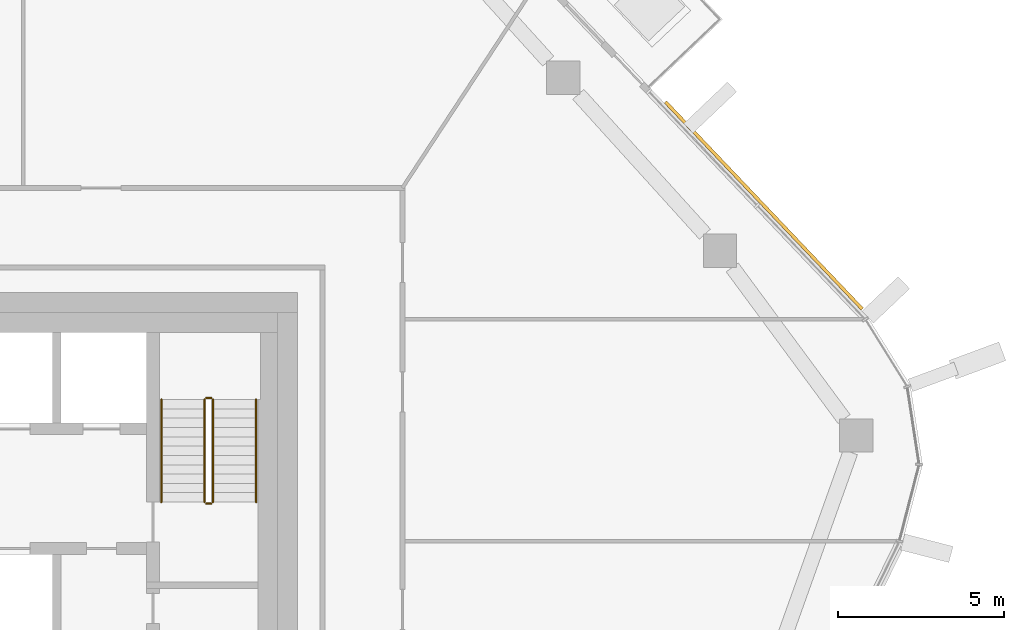
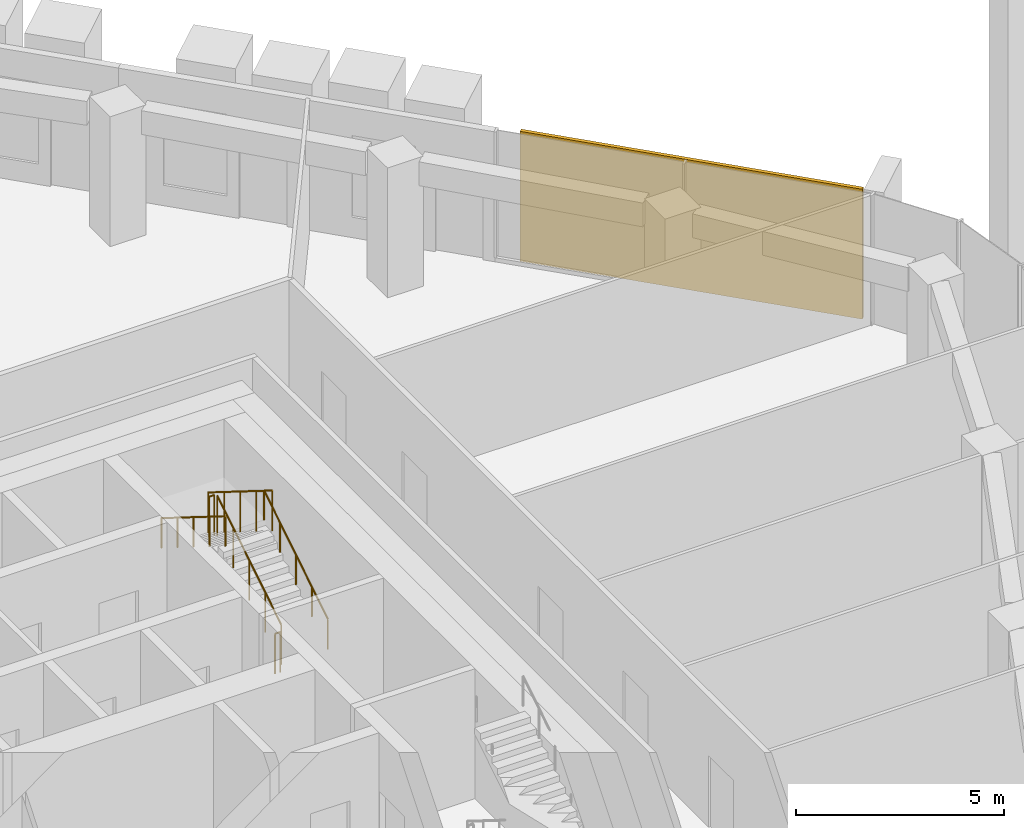
# One storey, part 23 of 24: 6 railings, 1 covering, 1 element without a shape of its own.
"""IFC4 building model written with IfcOpenShell, lengths in metres."""

from ifc_helpers import new_model, si_unit, direction, frame, origin, origin_2d, place, context, subcontext, project, spatial, rectangle, circle, extrude, material, layer, layer_set, type_object, element, aggregate, save


model = new_model("IFC4")

# Units and contexts
model_context = context("Model", 3, precision=1e-05, world=origin(), true_north=direction((0.0, 1.0)))
body_context = subcontext(model_context, "Body", "Model", "MODEL_VIEW")
ifc_project = project(units=[si_unit("LENGTHUNIT", "METRE"), si_unit("AREAUNIT", "SQUARE_METRE"), si_unit("VOLUMEUNIT", "CUBIC_METRE"), si_unit("PLANEANGLEUNIT", "RADIAN"), si_unit("MASSUNIT", "GRAM", prefix="KILO")], contexts=[model_context])

# Site, building, storey
site_placement = place(None, origin())
site = spatial("IfcSite", under=ifc_project, at=site_placement, CompositionType="ELEMENT")
building_placement = place(site_placement, origin())
building = spatial("IfcBuilding", under=site, at=building_placement, Name="Dongbaek Canopy Tower", CompositionType="ELEMENT")
storey_placement = place(building_placement, frame((0.0, 0.0, 332.0)))
storey = spatial("IfcBuildingStorey", under=building, at=storey_placement, Name="L71", CompositionType="ELEMENT", Elevation=332.0)

# Curtain wall, covering
ifc_material_1 = material(Name="Aluminium 6063-T6 pale anodised", Category="aluminium")
ifc_layer_1 = layer(ifc_material_1, 0.199951171875)
ifc_layer_set_1 = layer_set([ifc_layer_1], Name="CW-1 unitised tower curtain wall")
curtain_wall_type = type_object("IfcCurtainWallType", Name="CW-1 unitised tower curtain wall", PredefinedType="NOTDEFINED", material=ifc_layer_set_1)
curtain_wall_placement = place(storey_placement, origin())
curtain_wall = element("IfcCurtainWall", 1, at=curtain_wall_placement, inside=storey, type_object=curtain_wall_type, Name="CW-1 curtain wall F0.1", PredefinedType="NOTDEFINED")
ifc_material_2 = material(Name="Perforated aluminium 6063-T6 pale metal screen", Category="aluminium")
ifc_layer_2 = layer(ifc_material_2, 0.10009765625)
ifc_layer_set_2 = layer_set([ifc_layer_2], Name="Facet screen FS1 100 pale metal")
covering_type = type_object("IfcCoveringType", Name="Facet screen FS1 100 pale metal", PredefinedType="CLADDING", material=ifc_layer_set_2)
covering_placement = place(storey_placement, frame((28.022216796875, 13.62060546875, 0.0), z_axis=(0.0, 0.0, 1.0), x_axis=(-0.688812736467, 0.724939317516, 0.0)))
covering = element("IfcCovering", 2, at=covering_placement, type_object=covering_type, Name="Facet screen L71 F0", PredefinedType="CLADDING", context=body_context, shape_type="SweptSolid", body=[
    extrude(rectangle(XDim=8.594970703125, YDim=0.10009765625, at=origin_2d()), origin(), (0.0, 0.0, 1.0), 3.820068359375),
])
aggregate(curtain_wall, [covering])

# Railings
ifc_material_3 = material(Name="Stainless steel tube and balusters", Category="steel")
railing_type_1 = type_object("IfcRailingType", Name="Stair guard 1200", PredefinedType="GUARDRAIL", material=ifc_material_3)
railing_1_placement = place(storey_placement, frame((11.449951171875, 4.699951171875, 0.175048828125)))
element("IfcRailing", 3, at=railing_1_placement, inside=storey, type_object=railing_type_1, Name="L71 ST-A stair guard 1", PredefinedType="GUARDRAIL", context=body_context, shape_type="SweptSolid", body=[
    extrude(circle(Radius=0.02392578125, at=origin_2d()), frame((0.0, 0.0, 1.17578125), z_axis=(0.0, 0.847998304005, 0.529998940003), x_axis=(-1.0, 0.0, 0.0)), (0.0, 0.0, 1.0), 3.632080078125),
    extrude(circle(Radius=0.02099609375, at=origin_2d()), origin(), (0.0, 0.0, 1.0), 1.15185546875),
    extrude(circle(Radius=0.02099609375, at=origin_2d()), frame((0.0, 0.77001953125, 0.481201171875)), (0.0, 0.0, 1.0), 1.15185546875),
    extrude(circle(Radius=0.02099609375, at=origin_2d()), frame((0.0, 1.5400390625, 0.96240234375)), (0.0, 0.0, 1.0), 1.15185546875),
    extrude(circle(Radius=0.02099609375, at=origin_2d()), frame((0.0, 2.31005859375, 1.44384765625)), (0.0, 0.0, 1.0), 1.15185546875),
    extrude(circle(Radius=0.02099609375, at=origin_2d()), frame((0.0, 3.080078125, 1.925048828125)), (0.0, 0.0, 1.0), 1.15185546875),
])
railing_2_placement = place(storey_placement, frame((11.39990234375, 7.830078125, 2.10009765625)))
element("IfcRailing", 4, at=railing_2_placement, inside=storey, type_object=railing_type_1, Name="L71 ST-A stair guard 2", PredefinedType="GUARDRAIL", context=body_context, shape_type="SweptSolid", body=[
    extrude(circle(Radius=0.02392578125, at=origin_2d()), frame((0.0, 0.0, 1.17578125), z_axis=(-1.0, 0.0, 0.0), x_axis=(0.0, -1.0, 0.0)), (0.0, 0.0, 1.0), 0.14990234375),
    extrude(circle(Radius=0.02099609375, at=origin_2d()), origin(), (0.0, 0.0, 1.0), 1.15185546875),
    extrude(circle(Radius=0.02099609375, at=origin_2d()), frame((-0.14990234375, 0.0, 0.0)), (0.0, 0.0, 1.0), 1.15185546875),
])
railing_3_placement = place(storey_placement, frame((11.199951171875, 7.780029296875, 2.27490234375)))
element("IfcRailing", 5, at=railing_3_placement, inside=storey, type_object=railing_type_1, Name="L71 ST-A stair guard 3", PredefinedType="GUARDRAIL", context=body_context, shape_type="SweptSolid", body=[
    extrude(circle(Radius=0.02392578125, at=origin_2d()), frame((0.0, 0.0, 1.17578125), z_axis=(0.0, -0.847998304005, 0.529998940003), x_axis=(1.0, 0.0, 0.0)), (0.0, 0.0, 1.0), 3.632080078125),
    extrude(circle(Radius=0.02099609375, at=origin_2d()), origin(), (0.0, 0.0, 1.0), 1.15185546875),
    extrude(circle(Radius=0.02099609375, at=origin_2d()), frame((0.0, -0.77001953125, 0.481201171875)), (0.0, 0.0, 1.0), 1.15185546875),
    extrude(circle(Radius=0.02099609375, at=origin_2d()), frame((0.0, -1.5400390625, 0.96240234375)), (0.0, 0.0, 1.0), 1.15185546875),
    extrude(circle(Radius=0.02099609375, at=origin_2d()), frame((0.0, -2.31005859375, 1.44384765625)), (0.0, 0.0, 1.0), 1.15185546875),
    extrude(circle(Radius=0.02099609375, at=origin_2d()), frame((0.0, -3.080078125, 1.925048828125)), (0.0, 0.0, 1.0), 1.15185546875),
])
railing_4_placement = place(storey_placement, frame((11.39990234375, 4.64990234375, 0.0)))
element("IfcRailing", 6, at=railing_4_placement, inside=storey, type_object=railing_type_1, Name="L71 ST-A stair guard 4", PredefinedType="GUARDRAIL", context=body_context, shape_type="SweptSolid", body=[
    extrude(circle(Radius=0.02392578125, at=origin_2d()), frame((0.0, 0.0, 1.17578125), z_axis=(-1.0, 0.0, 0.0), x_axis=(0.0, -1.0, 0.0)), (0.0, 0.0, 1.0), 0.14990234375),
    extrude(circle(Radius=0.02099609375, at=origin_2d()), origin(), (0.0, 0.0, 1.0), 1.15185546875),
    extrude(circle(Radius=0.02099609375, at=origin_2d()), frame((-0.14990234375, 0.0, 0.0)), (0.0, 0.0, 1.0), 1.15185546875),
])
ifc_material_4 = material(Name="Stainless steel tube", Category="steel")
railing_type_2 = type_object("IfcRailingType", Name="Stair handrail 900", PredefinedType="HANDRAIL", material=ifc_material_4)
railing_5_placement = place(storey_placement, frame((12.75, 4.699951171875, 0.175048828125)))
element("IfcRailing", 7, at=railing_5_placement, inside=storey, type_object=railing_type_2, Name="L71 ST-A stair handrail 1", PredefinedType="HANDRAIL", context=body_context, shape_type="SweptSolid", body=[
    extrude(circle(Radius=0.02392578125, at=origin_2d()), frame((0.0, 0.0, 0.8759765625), z_axis=(0.0, 0.847998304005, 0.529998940003), x_axis=(-1.0, 0.0, 0.0)), (0.0, 0.0, 1.0), 3.632080078125),
    extrude(circle(Radius=0.02099609375, at=origin_2d()), origin(), (0.0, 0.0, 1.0), 0.851806640625),
    extrude(circle(Radius=0.02099609375, at=origin_2d()), frame((0.0, 0.77001953125, 0.481201171875)), (0.0, 0.0, 1.0), 0.851806640625),
    extrude(circle(Radius=0.02099609375, at=origin_2d()), frame((0.0, 1.5400390625, 0.96240234375)), (0.0, 0.0, 1.0), 0.851806640625),
    extrude(circle(Radius=0.02099609375, at=origin_2d()), frame((0.0, 2.31005859375, 1.44384765625)), (0.0, 0.0, 1.0), 0.851806640625),
    extrude(circle(Radius=0.02099609375, at=origin_2d()), frame((0.0, 3.080078125, 1.925048828125)), (0.0, 0.0, 1.0), 0.851806640625),
])
railing_6_placement = place(storey_placement, frame((9.89990234375, 7.780029296875, 2.27490234375)))
element("IfcRailing", 8, at=railing_6_placement, inside=storey, type_object=railing_type_2, Name="L71 ST-A stair handrail 2", PredefinedType="HANDRAIL", context=body_context, shape_type="SweptSolid", body=[
    extrude(circle(Radius=0.02392578125, at=origin_2d()), frame((0.0, 0.0, 0.8759765625), z_axis=(0.0, -0.847998304005, 0.529998940003), x_axis=(1.0, 0.0, 0.0)), (0.0, 0.0, 1.0), 3.632080078125),
    extrude(circle(Radius=0.02099609375, at=origin_2d()), origin(), (0.0, 0.0, 1.0), 0.851806640625),
    extrude(circle(Radius=0.02099609375, at=origin_2d()), frame((0.0, -0.77001953125, 0.481201171875)), (0.0, 0.0, 1.0), 0.851806640625),
    extrude(circle(Radius=0.02099609375, at=origin_2d()), frame((0.0, -1.5400390625, 0.96240234375)), (0.0, 0.0, 1.0), 0.851806640625),
    extrude(circle(Radius=0.02099609375, at=origin_2d()), frame((0.0, -2.31005859375, 1.44384765625)), (0.0, 0.0, 1.0), 0.851806640625),
    extrude(circle(Radius=0.02099609375, at=origin_2d()), frame((0.0, -3.080078125, 1.925048828125)), (0.0, 0.0, 1.0), 0.851806640625),
])

save(model, "model.ifc")
